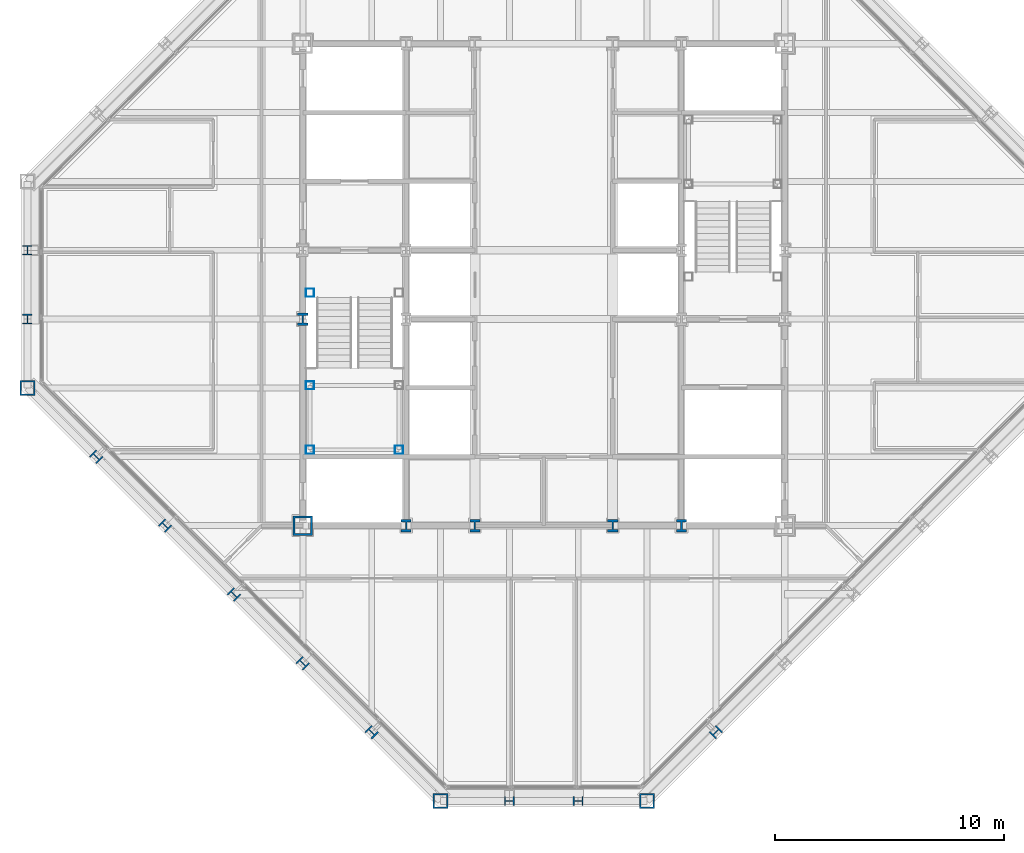
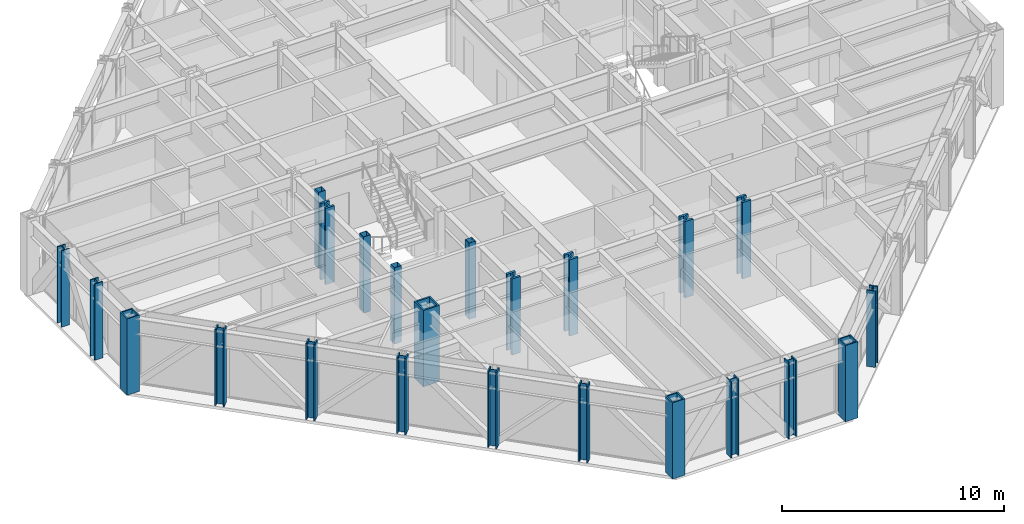
# One storey, part 1 of 15: 23 columns.
"""IFC4 building model written with IfcOpenShell, lengths in metres."""

from ifc_helpers import new_model, si_unit, direction, frame, origin, origin_2d, place, context, subcontext, project, spatial, hollow_rectangle, i_section, extrude, material, material_profile, profile_set, type_object, element, save


model = new_model("IFC4")

# Units and contexts
model_context = context("Model", 3, precision=1e-05, world=origin(), true_north=direction((0.0, 1.0)))
body_context = subcontext(model_context, "Body", "Model", "MODEL_VIEW")
ifc_project = project(units=[si_unit("LENGTHUNIT", "METRE"), si_unit("AREAUNIT", "SQUARE_METRE"), si_unit("VOLUMEUNIT", "CUBIC_METRE"), si_unit("PLANEANGLEUNIT", "RADIAN"), si_unit("MASSUNIT", "GRAM", prefix="KILO")], contexts=[model_context])

# Site, building, storey
site_placement = place(None, origin())
site = spatial("IfcSite", under=ifc_project, at=site_placement, CompositionType="ELEMENT")
building_placement = place(site_placement, origin())
building = spatial("IfcBuilding", under=site, at=building_placement, Name="Chuquiago Exchange Tower", CompositionType="ELEMENT")
storey_placement = place(building_placement, frame((0.0, 0.0, 266.39990234375)))
storey = spatial("IfcBuildingStorey", under=building, at=storey_placement, Name="L59", CompositionType="ELEMENT", Elevation=266.39990234375)

# Columns
ifc_material_1 = material(Name="Steel ASTM A992", Category="steel")
ifc_material_profile_1 = material_profile(ifc_material_1, i_section(OverallWidth=0.411376953125, OverallDepth=0.434326171875, WebThickness=0.035888671875, FlangeThickness=0.057373046875, at=origin_2d()), Name="W14X311")
ifc_profile_set_1 = profile_set([ifc_material_profile_1], Name="Steel ASTM A992")
column_type_1 = type_object("IfcColumnType", Name="C5 W14X311", PredefinedType="COLUMN", material=ifc_profile_set_1)
for number, where, z_axis, x_axis, name in (
    (1, (21.0, 0.0, 0.0), (0.0, 0.0, 1.0), (0.0, -1.0, 0.0), "COL-L59-21_0"),
    (2, (24.0, 0.0, 0.0), (0.0, 0.0, 1.0), (0.0, -1.0, 0.0), "COL-L59-24_0"),
    (3, (0.0, 24.0, 0.0), (0.0, 0.0, 1.0), (-1.0, 0.0, 0.0), "COL-L59-0_24"),
    (4, (0.0, 21.0, 0.0), (0.0, 0.0, 1.0), (-1.0, 0.0, 0.0), "COL-L59-0_21"),
):
    element("IfcColumn", number, at=place(storey_placement, frame(where, z_axis=z_axis, x_axis=x_axis)), inside=storey, type_object=column_type_1, Name=name, PredefinedType="COLUMN", context=body_context, shape_type="SweptSolid", body=[
        extrude(i_section(OverallWidth=0.411376953125, OverallDepth=0.434326171875, WebThickness=0.035888671875, FlangeThickness=0.057373046875, at=origin_2d()), origin(), (0.0, 0.0, 1.0), 4.2001953125),
    ])
ifc_material_2 = material(Name="Steel ASTM A992", Category="steel")
ifc_material_profile_2 = material_profile(ifc_material_2, i_section(OverallWidth=0.449462890625, OverallDepth=0.548583984375, WebThickness=0.07177734375, FlangeThickness=0.11474609375, at=origin_2d()), Name="W14X665")
ifc_profile_set_2 = profile_set([ifc_material_profile_2], Name="Steel ASTM A992")
column_type_2 = type_object("IfcColumnType", Name="CC5 W14X665", PredefinedType="COLUMN", material=ifc_profile_set_2)
for number, where, z_axis, x_axis, name in (
    (5, (16.5, 12.0, 0.0), (0.0, 0.0, 1.0), (1.0, 0.0, 0.0), "CCOL-L59-16.5_12"),
    (6, (19.5, 12.0, 0.0), (0.0, 0.0, 1.0), (1.0, 0.0, 0.0), "CCOL-L59-19.5_12"),
    (7, (25.5, 12.0, 0.0), (0.0, 0.0, 1.0), (1.0, 0.0, 0.0), "CCOL-L59-25.5_12"),
    (8, (28.5, 12.0, 0.0), (0.0, 0.0, 1.0), (1.0, 0.0, 0.0), "CCOL-L59-28.5_12"),
    (9, (12.0, 21.0, 0.0), (0.0, 0.0, 1.0), (1.0, 0.0, 0.0), "CCOL-L59-12_21"),
):
    element("IfcColumn", number, at=place(storey_placement, frame(where, z_axis=z_axis, x_axis=x_axis)), inside=storey, type_object=column_type_2, Name=name, PredefinedType="COLUMN", context=body_context, shape_type="SweptSolid", body=[
        extrude(i_section(OverallWidth=0.449462890625, OverallDepth=0.548583984375, WebThickness=0.07177734375, FlangeThickness=0.11474609375, at=origin_2d()), origin(), (0.0, 0.0, 1.0), 4.2001953125),
    ])
ifc_material_3 = material(Name="Steel ASTM A572 Grade 50", Category="steel")
ifc_material_profile_3 = material_profile(ifc_material_3, hollow_rectangle(XDim=0.85009765625, YDim=0.85009765625, WallThickness=0.0849609375, at=origin_2d()), Name="BOX850X850X85")
ifc_profile_set_3 = profile_set([ifc_material_profile_3], Name="Steel ASTM A572 Grade 50")
column_type_3 = type_object("IfcColumnType", Name="CC6 BOX850X850X85", PredefinedType="COLUMN", material=ifc_profile_set_3)
column_placement = place(storey_placement, frame((12.0, 12.0, 0.0), z_axis=(0.0, 0.0, 1.0), x_axis=(1.0, 0.0, 0.0)))
element("IfcColumn", 10, at=column_placement, inside=storey, type_object=column_type_3, Name="CCOL-L59-12_12", PredefinedType="COLUMN", context=body_context, shape_type="SweptSolid", body=[
    extrude(hollow_rectangle(XDim=0.85009765625, YDim=0.85009765625, WallThickness=0.0849609375, at=origin_2d()), origin(), (0.0, 0.0, 1.0), 4.2001953125),
])
ifc_material_4 = material(Name="Steel ASTM A992", Category="steel")
ifc_material_profile_4 = material_profile(ifc_material_4, i_section(OverallWidth=0.41650390625, OverallDepth=0.444580078125, WebThickness=0.0390625, FlangeThickness=0.062744140625, at=origin_2d()), Name="W14X342")
ifc_profile_set_4 = profile_set([ifc_material_profile_4], Name="Steel ASTM A992")
column_type_4 = type_object("IfcColumnType", Name="CK5 W14X342", PredefinedType="COLUMN", material=ifc_profile_set_4)
for number, where, z_axis, x_axis, name in (
    (11, (30.0, 3.0, 0.0), (0.0, 0.0, 1.0), (0.707106781187, -0.707106781187, 0.0), "COL-L59-30_3"),
    (12, (3.0, 15.0, 0.0), (0.0, 0.0, 1.0), (-0.707106781187, -0.707106781187, 0.0), "COL-L59-3_15"),
    (13, (6.0, 12.0, 0.0), (0.0, 0.0, 1.0), (-0.707106781187, -0.707106781187, 0.0), "COL-L59-6_12"),
    (14, (9.0, 9.0, 0.0), (0.0, 0.0, 1.0), (-0.707106781187, -0.707106781187, 0.0), "COL-L59-9_9"),
    (15, (12.0, 6.0, 0.0), (0.0, 0.0, 1.0), (-0.707106781187, -0.707106781187, 0.0), "COL-L59-12_6"),
    (16, (15.0, 3.0, 0.0), (0.0, 0.0, 1.0), (-0.707106781187, -0.707106781187, 0.0), "COL-L59-15_3"),
):
    element("IfcColumn", number, at=place(storey_placement, frame(where, z_axis=z_axis, x_axis=x_axis)), inside=storey, type_object=column_type_4, Name=name, PredefinedType="COLUMN", context=body_context, shape_type="SweptSolid", body=[
        extrude(i_section(OverallWidth=0.41650390625, OverallDepth=0.444580078125, WebThickness=0.0390625, FlangeThickness=0.062744140625, at=origin_2d()), origin(), (0.0, 0.0, 1.0), 4.2001953125),
    ])
ifc_material_5 = material(Name="Steel ASTM A572 Grade 50", Category="steel")
ifc_material_profile_5 = material_profile(ifc_material_5, hollow_rectangle(XDim=0.64990234375, YDim=0.64990234375, WallThickness=0.06494140625, at=origin_2d()), Name="BOX650X650X65")
ifc_profile_set_5 = profile_set([ifc_material_profile_5], Name="Steel ASTM A572 Grade 50")
column_type_5 = type_object("IfcColumnType", Name="CN2 BOX650X650X65", PredefinedType="COLUMN", material=ifc_profile_set_5)
for number, where, z_axis, x_axis, name in (
    (17, (18.0, 0.0, 0.0), (0.0, 0.0, 1.0), (0.0, -1.0, 0.0), "COL-L59-18_0"),
    (18, (27.0, 0.0, 0.0), (0.0, 0.0, 1.0), (0.0, -1.0, 0.0), "COL-L59-27_0"),
    (19, (0.0, 18.0, 0.0), (0.0, 0.0, 1.0), (-1.0, 0.0, 0.0), "COL-L59-0_18"),
):
    element("IfcColumn", number, at=place(storey_placement, frame(where, z_axis=z_axis, x_axis=x_axis)), inside=storey, type_object=column_type_5, Name=name, PredefinedType="COLUMN", context=body_context, shape_type="SweptSolid", body=[
        extrude(hollow_rectangle(XDim=0.64990234375, YDim=0.64990234375, WallThickness=0.06494140625, at=origin_2d()), origin(), (0.0, 0.0, 1.0), 4.2001953125),
    ])
ifc_material_6 = material(Name="Steel ASTM A500 Grade C", Category="steel")
ifc_material_profile_6 = material_profile(ifc_material_6, hollow_rectangle(XDim=0.355712890625, YDim=0.355712890625, WallThickness=0.0087890625, at=origin_2d()), Name="HSS14X14X3/8")
ifc_profile_set_6 = profile_set([ifc_material_profile_6], Name="Steel ASTM A500 Grade C")
column_type_6 = type_object("IfcColumnType", Name="PT1 HSS14X14X3/8", PredefinedType="COLUMN", material=ifc_profile_set_6)
for number, where, z_axis, x_axis, name in (
    (20, (12.31005859375, 15.31005859375, 0.0), (0.0, 0.0, 1.0), (1.0, 0.0, 0.0), "Stair ST1 L59 landing post"),
    (21, (16.18994140625, 15.31005859375, 0.0), (0.0, 0.0, 1.0), (1.0, 0.0, 0.0), "Stair ST1 L59 landing post"),
    (22, (12.31005859375, 18.110107421875, 0.0), (0.0, 0.0, 1.0), (1.0, 0.0, 0.0), "Stair ST1 L59 landing post"),
    (23, (12.31005859375, 22.14990234375, 0.0), (0.0, 0.0, 1.0), (1.0, 0.0, 0.0), "Stair ST1 L59 landing post"),
):
    element("IfcColumn", number, at=place(storey_placement, frame(where, z_axis=z_axis, x_axis=x_axis)), inside=storey, type_object=column_type_6, Name=name, PredefinedType="COLUMN", context=body_context, shape_type="SweptSolid", body=[
        extrude(hollow_rectangle(XDim=0.355712890625, YDim=0.355712890625, WallThickness=0.0087890625, at=origin_2d()), origin(), (0.0, 0.0, 1.0), 4.2001953125),
    ])

save(model, "model.ifc")
